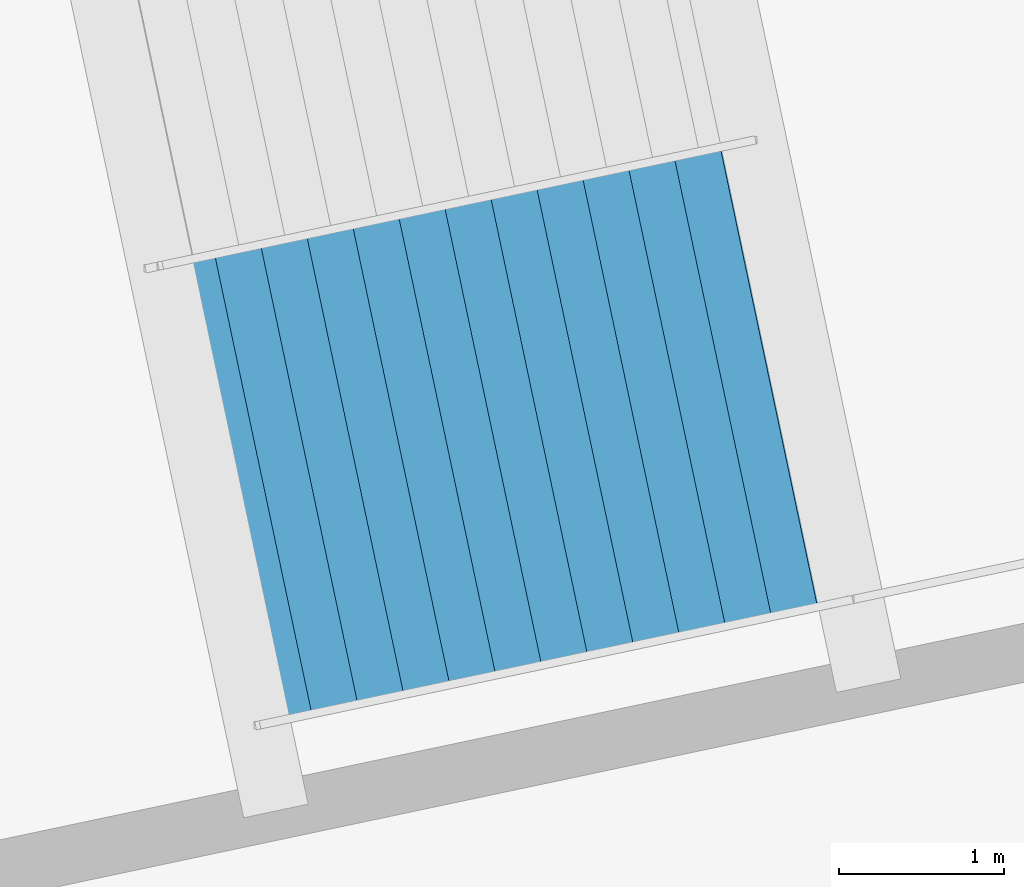
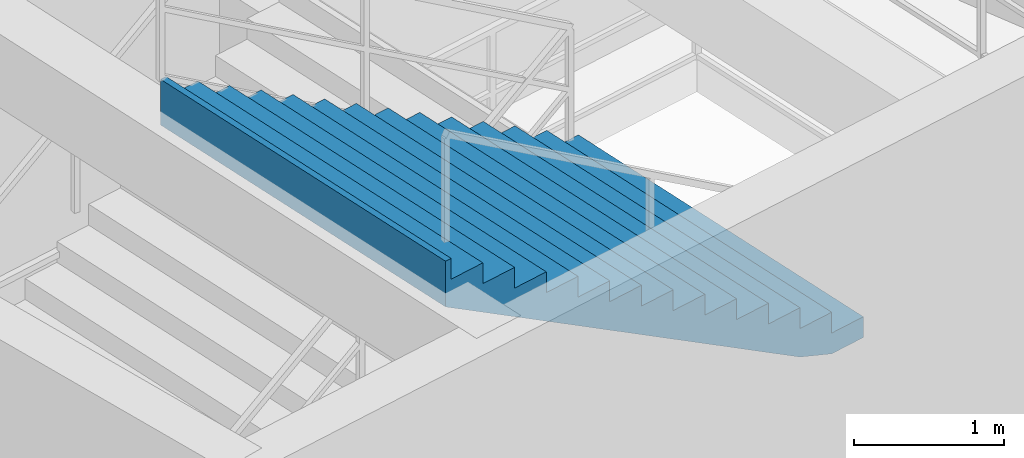
# One storey, part 122 of 156: 1 stair flight, 1 element without a shape of its own.
"""IFC4 building model written with IfcOpenShell, lengths in metres."""

from ifc_helpers import new_model, si_unit, direction, frame, origin, place, context, subcontext, project, spatial, polygons, material, type_object, element, aggregate, save


model = new_model("IFC4")

# Units and contexts
model_context = context("Model", 3, precision=1e-05, world=origin(), true_north=direction((0.0, 1.0)))
body_context = subcontext(model_context, "Body", "Model", "MODEL_VIEW")
ifc_project = project(units=[si_unit("LENGTHUNIT", "METRE"), si_unit("AREAUNIT", "SQUARE_METRE"), si_unit("VOLUMEUNIT", "CUBIC_METRE"), si_unit("PLANEANGLEUNIT", "RADIAN"), si_unit("MASSUNIT", "GRAM", prefix="KILO")], contexts=[model_context])

# Site, building, storey
site_placement = place(None, origin())
site = spatial("IfcSite", under=ifc_project, at=site_placement, CompositionType="ELEMENT")
building_placement = place(site_placement, origin())
building = spatial("IfcBuilding", under=site, at=building_placement, Name="Kazemori Nagisa Stadium", CompositionType="ELEMENT")
storey_placement = place(building_placement, frame((0.0, 0.0, 5.780029296875)))
storey = spatial("IfcBuildingStorey", under=building, at=storey_placement, Name="L01", CompositionType="ELEMENT", Elevation=5.780029296875)

# Stair, stair flight
ifc_material = material(Name="Concrete C36/45 (Fc36)", Category="concrete")
stair_type = type_object("IfcStairType", Name="Stair_CORE_28", PredefinedType="TWO_STRAIGHT_RUN_STAIR", material=ifc_material)
stair_placement = place(storey_placement, origin())
stair = element("IfcStair", 1, at=stair_placement, inside=storey, type_object=stair_type, Name="Exit stair ST06 L01", PredefinedType="TWO_STRAIGHT_RUN_STAIR")
stair_flight_type = type_object("IfcStairFlightType", Name="Flight_CORE_14", PredefinedType="STRAIGHT", material=ifc_material)
stair_flight_placement = place(storey_placement, frame((150.33544921875, 22.947998046875, 2.3798828125), z_axis=(0.0, 0.0, 1.0), x_axis=(-0.978345854204, -0.206976785078, 0.0)))
stair_flight = element("IfcStairFlight", 2, at=stair_flight_placement, type_object=stair_flight_type, Name="Exit stair ST06 L01 flight 2", NumberOfRisers=14, NumberOfTreads=13, PredefinedType="STRAIGHT", RiserHeight=0.17, TreadLength=0.285, context=body_context, shape_type="Tessellation", body=[
    polygons([(0.0, -1.425048828125, 0.0), (0.0, -1.425048828125, 0.169921875), (0.284912109375, -1.425048828125, 0.169921875), (0.284912109375, -1.425048828125, 0.340087890625), (0.570068359375, -1.425048828125, 0.340087890625), (0.570068359375, -1.425048828125, 0.510009765625), (0.85498046875, -1.425048828125, 0.510009765625), (0.85498046875, -1.425048828125, 0.679931640625), (1.139892578125, -1.425048828125, 0.679931640625), (1.139892578125, -1.425048828125, 0.85009765625), (1.425048828125, -1.425048828125, 0.85009765625), (1.425048828125, -1.425048828125, 1.02001953125), (1.7099609375, -1.425048828125, 1.02001953125), (1.7099609375, -1.425048828125, 1.18994140625), (1.9951171875, -1.425048828125, 1.18994140625), (1.9951171875, -1.425048828125, 1.360107421875), (2.280029296875, -1.425048828125, 1.360107421875), (2.280029296875, -1.425048828125, 1.530029296875), (2.56494140625, -1.425048828125, 1.530029296875), (2.56494140625, -1.425048828125, 1.699951171875), (2.85009765625, -1.425048828125, 1.699951171875), (2.85009765625, -1.425048828125, 1.8701171875), (3.135009765625, -1.425048828125, 1.8701171875), (3.135009765625, -1.425048828125, 2.0400390625), (3.419921875, -1.425048828125, 2.0400390625), (3.419921875, -1.425048828125, 2.2099609375), (3.705078125, -1.425048828125, 2.2099609375), (3.705078125, -1.425048828125, 2.3798828125), (3.7548828125, -1.425048828125, 2.3798828125), (3.7548828125, -1.425048828125, 2.007080078125), (3.705078125, -1.425048828125, 1.977294921875), (3.419921875, -1.425048828125, 1.80712890625), (3.135009765625, -1.425048828125, 1.63720703125), (2.85009765625, -1.425048828125, 1.46728515625), (2.56494140625, -1.425048828125, 1.297119140625), (2.280029296875, -1.425048828125, 1.127197265625), (1.9951171875, -1.425048828125, 0.957275390625), (1.7099609375, -1.425048828125, 0.787109375), (1.425048828125, -1.425048828125, 0.6171875), (1.139892578125, -1.425048828125, 0.447265625), (0.85498046875, -1.425048828125, 0.277099609375), (0.570068359375, -1.425048828125, 0.107177734375), (0.284912109375, -1.425048828125, 0.0), (0.0, -0.08544921875, 0.0), (0.0, -0.08544921875, 0.169921875), (0.284912109375, -0.08544921875, 0.169921875), (0.284912109375, -0.08544921875, 0.340087890625), (0.570068359375, -0.08544921875, 0.340087890625), (0.570068359375, -0.08544921875, 0.510009765625), (0.85498046875, -0.08544921875, 0.510009765625), (0.85498046875, -0.08544921875, 0.679931640625), (1.139892578125, -0.08544921875, 0.679931640625), (1.139892578125, -0.08544921875, 0.85009765625), (1.425048828125, -0.08544921875, 0.85009765625), (1.425048828125, -0.08544921875, 1.02001953125), (1.7099609375, -0.08544921875, 1.02001953125), (1.7099609375, -0.08544921875, 1.18994140625), (1.9951171875, -0.08544921875, 1.18994140625), (1.9951171875, -0.08544921875, 1.360107421875), (2.280029296875, -0.08544921875, 1.360107421875), (2.280029296875, -0.08544921875, 1.530029296875), (2.56494140625, -0.08544921875, 1.530029296875), (2.56494140625, -0.08544921875, 1.699951171875), (2.85009765625, -0.08544921875, 1.699951171875), (2.85009765625, -0.08544921875, 1.8701171875), (3.135009765625, -0.08544921875, 1.8701171875), (3.135009765625, -0.08544921875, 2.0400390625), (3.419921875, -0.08544921875, 2.0400390625), (3.419921875, -0.08544921875, 2.2099609375), (3.705078125, -0.08544921875, 2.2099609375), (3.705078125, -0.08544921875, 2.3798828125), (3.7548828125, -0.08544921875, 2.3798828125), (3.7548828125, -0.08544921875, 2.007080078125), (3.705078125, -0.08544921875, 1.977294921875), (3.419921875, -0.08544921875, 1.80712890625), (3.135009765625, -0.08544921875, 1.63720703125), (2.85009765625, -0.08544921875, 1.46728515625), (2.56494140625, -0.08544921875, 1.297119140625), (2.280029296875, -0.08544921875, 1.127197265625), (1.9951171875, -0.08544921875, 0.957275390625), (1.7099609375, -0.08544921875, 0.787109375), (1.425048828125, -0.08544921875, 0.6171875), (1.139892578125, -0.08544921875, 0.447265625), (0.85498046875, -0.08544921875, 0.277099609375), (0.570068359375, -0.08544921875, 0.107177734375), (0.284912109375, -0.08544921875, 0.0), (0.0, 0.0, 0.0), (0.0, 0.0, 0.169921875), (0.284912109375, 0.0, 0.169921875), (0.284912109375, 0.0, 0.340087890625), (0.570068359375, 0.0, 0.340087890625), (0.570068359375, 0.0, 0.510009765625), (0.85498046875, 0.0, 0.510009765625), (0.85498046875, 0.0, 0.679931640625), (1.139892578125, 0.0, 0.679931640625), (1.139892578125, 0.0, 0.85009765625), (1.425048828125, 0.0, 0.85009765625), (1.425048828125, 0.0, 1.02001953125), (1.7099609375, 0.0, 1.02001953125), (1.7099609375, 0.0, 1.18994140625), (1.9951171875, 0.0, 1.18994140625), (1.9951171875, 0.0, 1.360107421875), (2.280029296875, 0.0, 1.360107421875), (2.280029296875, 0.0, 1.530029296875), (2.56494140625, 0.0, 1.530029296875), (2.56494140625, 0.0, 1.699951171875), (2.85009765625, 0.0, 1.699951171875), (2.85009765625, 0.0, 1.8701171875), (3.135009765625, 0.0, 1.8701171875), (3.135009765625, 0.0, 2.0400390625), (3.419921875, 0.0, 2.0400390625), (3.419921875, 0.0, 2.2099609375), (3.705078125, 0.0, 2.2099609375), (3.705078125, 0.0, 2.3798828125), (3.7548828125, 0.0, 2.3798828125), (3.7548828125, 0.0, 2.007080078125), (3.705078125, 0.0, 1.977294921875), (3.419921875, 0.0, 1.80712890625), (3.135009765625, 0.0, 1.63720703125), (2.85009765625, 0.0, 1.46728515625), (2.56494140625, 0.0, 1.297119140625), (2.280029296875, 0.0, 1.127197265625), (1.9951171875, 0.0, 0.957275390625), (1.7099609375, 0.0, 0.787109375), (1.425048828125, 0.0, 0.6171875), (1.139892578125, 0.0, 0.447265625), (0.85498046875, 0.0, 0.277099609375), (0.570068359375, 0.0, 0.107177734375), (0.284912109375, 0.0, 0.0), (0.0, 0.08544921875, 0.0), (0.0, 0.08544921875, 0.169921875), (0.284912109375, 0.08544921875, 0.169921875), (0.284912109375, 0.08544921875, 0.340087890625), (0.570068359375, 0.08544921875, 0.340087890625), (0.570068359375, 0.08544921875, 0.510009765625), (0.85498046875, 0.08544921875, 0.510009765625), (0.85498046875, 0.08544921875, 0.679931640625), (1.139892578125, 0.08544921875, 0.679931640625), (1.139892578125, 0.08544921875, 0.85009765625), (1.425048828125, 0.08544921875, 0.85009765625), (1.425048828125, 0.08544921875, 1.02001953125), (1.7099609375, 0.08544921875, 1.02001953125), (1.7099609375, 0.08544921875, 1.18994140625), (1.9951171875, 0.08544921875, 1.18994140625), (1.9951171875, 0.08544921875, 1.360107421875), (2.280029296875, 0.08544921875, 1.360107421875), (2.280029296875, 0.08544921875, 1.530029296875), (2.56494140625, 0.08544921875, 1.530029296875), (2.56494140625, 0.08544921875, 1.699951171875), (2.85009765625, 0.08544921875, 1.699951171875), (2.85009765625, 0.08544921875, 1.8701171875), (3.135009765625, 0.08544921875, 1.8701171875), (3.135009765625, 0.08544921875, 2.0400390625), (3.419921875, 0.08544921875, 2.0400390625), (3.419921875, 0.08544921875, 2.2099609375), (3.705078125, 0.08544921875, 2.2099609375), (3.705078125, 0.08544921875, 2.3798828125), (3.7548828125, 0.08544921875, 2.3798828125), (3.7548828125, 0.08544921875, 2.007080078125), (3.705078125, 0.08544921875, 1.977294921875), (3.419921875, 0.08544921875, 1.80712890625), (3.135009765625, 0.08544921875, 1.63720703125), (2.85009765625, 0.08544921875, 1.46728515625), (2.56494140625, 0.08544921875, 1.297119140625), (2.280029296875, 0.08544921875, 1.127197265625), (1.9951171875, 0.08544921875, 0.957275390625), (1.7099609375, 0.08544921875, 0.787109375), (1.425048828125, 0.08544921875, 0.6171875), (1.139892578125, 0.08544921875, 0.447265625), (0.85498046875, 0.08544921875, 0.277099609375), (0.570068359375, 0.08544921875, 0.107177734375), (0.284912109375, 0.08544921875, 0.0), (0.0, 1.425048828125, 0.0), (0.0, 1.425048828125, 0.169921875), (0.284912109375, 1.425048828125, 0.169921875), (0.284912109375, 1.425048828125, 0.340087890625), (0.570068359375, 1.425048828125, 0.340087890625), (0.570068359375, 1.425048828125, 0.510009765625), (0.85498046875, 1.425048828125, 0.510009765625), (0.85498046875, 1.425048828125, 0.679931640625), (1.139892578125, 1.425048828125, 0.679931640625), (1.139892578125, 1.425048828125, 0.85009765625), (1.425048828125, 1.425048828125, 0.85009765625), (1.425048828125, 1.425048828125, 1.02001953125), (1.7099609375, 1.425048828125, 1.02001953125), (1.7099609375, 1.425048828125, 1.18994140625), (1.9951171875, 1.425048828125, 1.18994140625), (1.9951171875, 1.425048828125, 1.360107421875), (2.280029296875, 1.425048828125, 1.360107421875), (2.280029296875, 1.425048828125, 1.530029296875), (2.56494140625, 1.425048828125, 1.530029296875), (2.56494140625, 1.425048828125, 1.699951171875), (2.85009765625, 1.425048828125, 1.699951171875), (2.85009765625, 1.425048828125, 1.8701171875), (3.135009765625, 1.425048828125, 1.8701171875), (3.135009765625, 1.425048828125, 2.0400390625), (3.419921875, 1.425048828125, 2.0400390625), (3.419921875, 1.425048828125, 2.2099609375), (3.705078125, 1.425048828125, 2.2099609375), (3.705078125, 1.425048828125, 2.3798828125), (3.7548828125, 1.425048828125, 2.3798828125), (3.7548828125, 1.425048828125, 2.007080078125), (3.705078125, 1.425048828125, 1.977294921875), (3.419921875, 1.425048828125, 1.80712890625), (3.135009765625, 1.425048828125, 1.63720703125), (2.85009765625, 1.425048828125, 1.46728515625), (2.56494140625, 1.425048828125, 1.297119140625), (2.280029296875, 1.425048828125, 1.127197265625), (1.9951171875, 1.425048828125, 0.957275390625), (1.7099609375, 1.425048828125, 0.787109375), (1.425048828125, 1.425048828125, 0.6171875), (1.139892578125, 1.425048828125, 0.447265625), (0.85498046875, 1.425048828125, 0.277099609375), (0.570068359375, 1.425048828125, 0.107177734375), (0.284912109375, 1.425048828125, 0.0)], [[[1, 2, 45]], [[1, 45, 44]], [[2, 3, 46]], [[2, 46, 45]], [[3, 4, 47]], [[3, 47, 46]], [[4, 5, 48]], [[4, 48, 47]], [[5, 6, 49]], [[5, 49, 48]], [[6, 7, 50]], [[6, 50, 49]], [[7, 8, 51]], [[7, 51, 50]], [[8, 9, 52]], [[8, 52, 51]], [[9, 10, 53]], [[9, 53, 52]], [[10, 11, 54]], [[10, 54, 53]], [[11, 12, 55]], [[11, 55, 54]], [[12, 13, 56]], [[12, 56, 55]], [[13, 14, 57]], [[13, 57, 56]], [[14, 15, 58]], [[14, 58, 57]], [[15, 16, 59]], [[15, 59, 58]], [[16, 17, 60]], [[16, 60, 59]], [[17, 18, 61]], [[17, 61, 60]], [[18, 19, 62]], [[18, 62, 61]], [[19, 20, 63]], [[19, 63, 62]], [[20, 21, 64]], [[20, 64, 63]], [[21, 22, 65]], [[21, 65, 64]], [[22, 23, 66]], [[22, 66, 65]], [[23, 24, 67]], [[23, 67, 66]], [[24, 25, 68]], [[24, 68, 67]], [[25, 26, 69]], [[25, 69, 68]], [[26, 27, 70]], [[26, 70, 69]], [[27, 28, 71]], [[27, 71, 70]], [[28, 29, 72]], [[28, 72, 71]], [[29, 30, 73]], [[29, 73, 72]], [[30, 31, 74]], [[30, 74, 73]], [[31, 32, 75]], [[31, 75, 74]], [[32, 33, 76]], [[32, 76, 75]], [[33, 34, 77]], [[33, 77, 76]], [[34, 35, 78]], [[34, 78, 77]], [[35, 36, 79]], [[35, 79, 78]], [[36, 37, 80]], [[36, 80, 79]], [[37, 38, 81]], [[37, 81, 80]], [[38, 39, 82]], [[38, 82, 81]], [[39, 40, 83]], [[39, 83, 82]], [[40, 41, 84]], [[40, 84, 83]], [[41, 42, 85]], [[41, 85, 84]], [[42, 43, 86]], [[42, 86, 85]], [[43, 1, 44]], [[43, 44, 86]], [[44, 45, 88]], [[44, 88, 87]], [[45, 46, 89]], [[45, 89, 88]], [[46, 47, 90]], [[46, 90, 89]], [[47, 48, 91]], [[47, 91, 90]], [[48, 49, 92]], [[48, 92, 91]], [[49, 50, 93]], [[49, 93, 92]], [[50, 51, 94]], [[50, 94, 93]], [[51, 52, 95]], [[51, 95, 94]], [[52, 53, 96]], [[52, 96, 95]], [[53, 54, 97]], [[53, 97, 96]], [[54, 55, 98]], [[54, 98, 97]], [[55, 56, 99]], [[55, 99, 98]], [[56, 57, 100]], [[56, 100, 99]], [[57, 58, 101]], [[57, 101, 100]], [[58, 59, 102]], [[58, 102, 101]], [[59, 60, 103]], [[59, 103, 102]], [[60, 61, 104]], [[60, 104, 103]], [[61, 62, 105]], [[61, 105, 104]], [[62, 63, 106]], [[62, 106, 105]], [[63, 64, 107]], [[63, 107, 106]], [[64, 65, 108]], [[64, 108, 107]], [[65, 66, 109]], [[65, 109, 108]], [[66, 67, 110]], [[66, 110, 109]], [[67, 68, 111]], [[67, 111, 110]], [[68, 69, 112]], [[68, 112, 111]], [[69, 70, 113]], [[69, 113, 112]], [[70, 71, 114]], [[70, 114, 113]], [[71, 72, 115]], [[71, 115, 114]], [[72, 73, 116]], [[72, 116, 115]], [[73, 74, 117]], [[73, 117, 116]], [[74, 75, 118]], [[74, 118, 117]], [[75, 76, 119]], [[75, 119, 118]], [[76, 77, 120]], [[76, 120, 119]], [[77, 78, 121]], [[77, 121, 120]], [[78, 79, 122]], [[78, 122, 121]], [[79, 80, 123]], [[79, 123, 122]], [[80, 81, 124]], [[80, 124, 123]], [[81, 82, 125]], [[81, 125, 124]], [[82, 83, 126]], [[82, 126, 125]], [[83, 84, 127]], [[83, 127, 126]], [[84, 85, 128]], [[84, 128, 127]], [[85, 86, 129]], [[85, 129, 128]], [[86, 44, 87]], [[86, 87, 129]], [[87, 88, 131]], [[87, 131, 130]], [[88, 89, 132]], [[88, 132, 131]], [[89, 90, 133]], [[89, 133, 132]], [[90, 91, 134]], [[90, 134, 133]], [[91, 92, 135]], [[91, 135, 134]], [[92, 93, 136]], [[92, 136, 135]], [[93, 94, 137]], [[93, 137, 136]], [[94, 95, 138]], [[94, 138, 137]], [[95, 96, 139]], [[95, 139, 138]], [[96, 97, 140]], [[96, 140, 139]], [[97, 98, 141]], [[97, 141, 140]], [[98, 99, 142]], [[98, 142, 141]], [[99, 100, 143]], [[99, 143, 142]], [[100, 101, 144]], [[100, 144, 143]], [[101, 102, 145]], [[101, 145, 144]], [[102, 103, 146]], [[102, 146, 145]], [[103, 104, 147]], [[103, 147, 146]], [[104, 105, 148]], [[104, 148, 147]], [[105, 106, 149]], [[105, 149, 148]], [[106, 107, 150]], [[106, 150, 149]], [[107, 108, 151]], [[107, 151, 150]], [[108, 109, 152]], [[108, 152, 151]], [[109, 110, 153]], [[109, 153, 152]], [[110, 111, 154]], [[110, 154, 153]], [[111, 112, 155]], [[111, 155, 154]], [[112, 113, 156]], [[112, 156, 155]], [[113, 114, 157]], [[113, 157, 156]], [[114, 115, 158]], [[114, 158, 157]], [[115, 116, 159]], [[115, 159, 158]], [[116, 117, 160]], [[116, 160, 159]], [[117, 118, 161]], [[117, 161, 160]], [[118, 119, 162]], [[118, 162, 161]], [[119, 120, 163]], [[119, 163, 162]], [[120, 121, 164]], [[120, 164, 163]], [[121, 122, 165]], [[121, 165, 164]], [[122, 123, 166]], [[122, 166, 165]], [[123, 124, 167]], [[123, 167, 166]], [[124, 125, 168]], [[124, 168, 167]], [[125, 126, 169]], [[125, 169, 168]], [[126, 127, 170]], [[126, 170, 169]], [[127, 128, 171]], [[127, 171, 170]], [[128, 129, 172]], [[128, 172, 171]], [[129, 87, 130]], [[129, 130, 172]], [[130, 131, 174]], [[130, 174, 173]], [[131, 132, 175]], [[131, 175, 174]], [[132, 133, 176]], [[132, 176, 175]], [[133, 134, 177]], [[133, 177, 176]], [[134, 135, 178]], [[134, 178, 177]], [[135, 136, 179]], [[135, 179, 178]], [[136, 137, 180]], [[136, 180, 179]], [[137, 138, 181]], [[137, 181, 180]], [[138, 139, 182]], [[138, 182, 181]], [[139, 140, 183]], [[139, 183, 182]], [[140, 141, 184]], [[140, 184, 183]], [[141, 142, 185]], [[141, 185, 184]], [[142, 143, 186]], [[142, 186, 185]], [[143, 144, 187]], [[143, 187, 186]], [[144, 145, 188]], [[144, 188, 187]], [[145, 146, 189]], [[145, 189, 188]], [[146, 147, 190]], [[146, 190, 189]], [[147, 148, 191]], [[147, 191, 190]], [[148, 149, 192]], [[148, 192, 191]], [[149, 150, 193]], [[149, 193, 192]], [[150, 151, 194]], [[150, 194, 193]], [[151, 152, 195]], [[151, 195, 194]], [[152, 153, 196]], [[152, 196, 195]], [[153, 154, 197]], [[153, 197, 196]], [[154, 155, 198]], [[154, 198, 197]], [[155, 156, 199]], [[155, 199, 198]], [[156, 157, 200]], [[156, 200, 199]], [[157, 158, 201]], [[157, 201, 200]], [[158, 159, 202]], [[158, 202, 201]], [[159, 160, 203]], [[159, 203, 202]], [[160, 161, 204]], [[160, 204, 203]], [[161, 162, 205]], [[161, 205, 204]], [[162, 163, 206]], [[162, 206, 205]], [[163, 164, 207]], [[163, 207, 206]], [[164, 165, 208]], [[164, 208, 207]], [[165, 166, 209]], [[165, 209, 208]], [[166, 167, 210]], [[166, 210, 209]], [[167, 168, 211]], [[167, 211, 210]], [[168, 169, 212]], [[168, 212, 211]], [[169, 170, 213]], [[169, 213, 212]], [[170, 171, 214]], [[170, 214, 213]], [[171, 172, 215]], [[171, 215, 214]], [[172, 130, 173]], [[172, 173, 215]], [[3, 2, 1]], [[173, 174, 175]], [[43, 3, 1]], [[173, 175, 215]], [[42, 3, 43]], [[215, 175, 214]], [[5, 3, 42]], [[214, 175, 177]], [[5, 4, 3]], [[175, 176, 177]], [[41, 5, 42]], [[214, 177, 213]], [[7, 5, 41]], [[213, 177, 179]], [[7, 6, 5]], [[177, 178, 179]], [[40, 7, 41]], [[213, 179, 212]], [[9, 7, 40]], [[212, 179, 181]], [[9, 8, 7]], [[179, 180, 181]], [[39, 9, 40]], [[212, 181, 211]], [[11, 9, 39]], [[211, 181, 183]], [[11, 10, 9]], [[181, 182, 183]], [[38, 11, 39]], [[211, 183, 210]], [[13, 11, 38]], [[210, 183, 185]], [[13, 12, 11]], [[183, 184, 185]], [[37, 13, 38]], [[210, 185, 209]], [[15, 13, 37]], [[209, 185, 187]], [[15, 14, 13]], [[185, 186, 187]], [[36, 15, 37]], [[209, 187, 208]], [[17, 15, 36]], [[208, 187, 189]], [[17, 16, 15]], [[187, 188, 189]], [[35, 17, 36]], [[208, 189, 207]], [[19, 17, 35]], [[207, 189, 191]], [[19, 18, 17]], [[189, 190, 191]], [[34, 19, 35]], [[207, 191, 206]], [[21, 19, 34]], [[206, 191, 193]], [[21, 20, 19]], [[191, 192, 193]], [[33, 21, 34]], [[206, 193, 205]], [[23, 21, 33]], [[205, 193, 195]], [[23, 22, 21]], [[193, 194, 195]], [[32, 23, 33]], [[205, 195, 204]], [[25, 23, 32]], [[204, 195, 197]], [[25, 24, 23]], [[195, 196, 197]], [[31, 25, 32]], [[204, 197, 203]], [[27, 25, 31]], [[203, 197, 199]], [[27, 26, 25]], [[197, 198, 199]], [[30, 27, 31]], [[203, 199, 202]], [[29, 27, 30]], [[202, 199, 201]], [[29, 28, 27]], [[199, 200, 201]]], closed=True),
])
aggregate(stair, [stair_flight])

save(model, "model.ifc")
